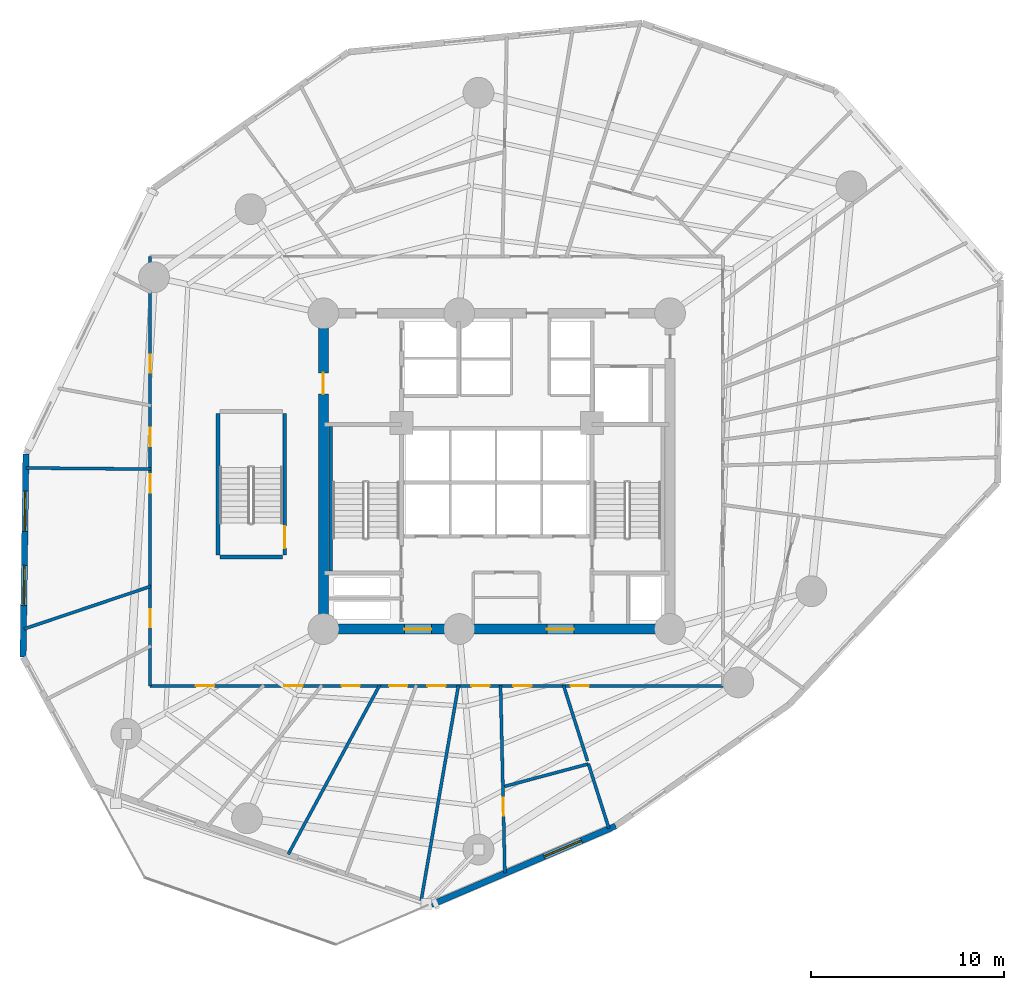
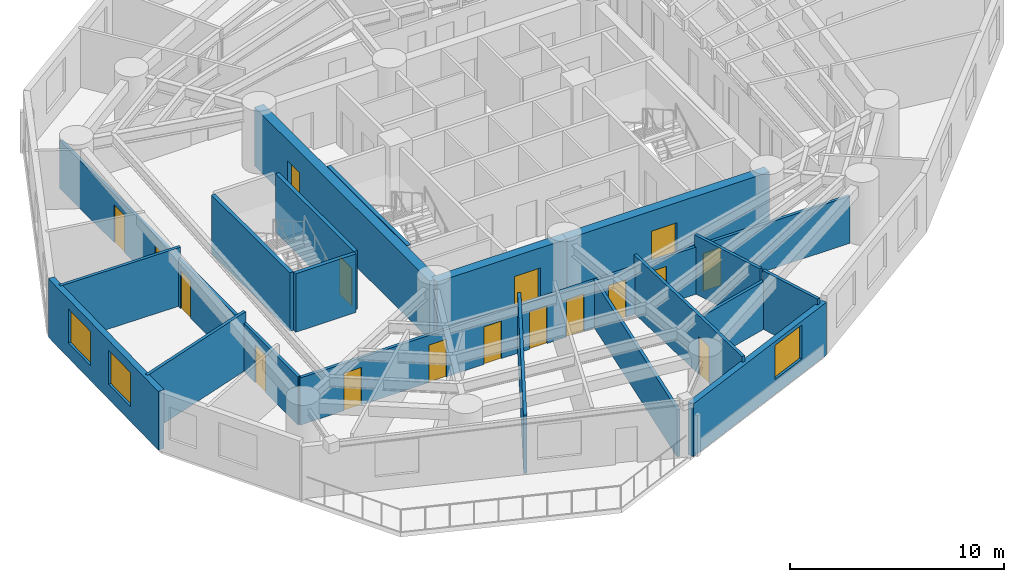
# One storey, part 3 of 11: 19 walls, 17 doors, 3 windows, 20 openings.
"""IFC4 building model written with IfcOpenShell, lengths in metres."""

import ifcopenshell
import ifcopenshell.guid

model = None  # the IFC model being written
_history = None  # IfcOwnerHistory: only IFC2X3 demands one
_inside = {}  # id of a spatial element -> (the spatial element, [elements in it])
_under = {}  # id of a project, library or spatial element -> (it, [spatial elements below it])
_declared = {}  # id of a project -> (the project, [libraries it declares])
_typed = {}  # id of a type object -> (the type object, [elements of that type])
_made_of = {}  # id of a material, layer set ... -> (it, [elements and type objects made of it])


def new_model(schema):
    """Start an empty IFC model of exactly this schema.

    Asked for "IFC4X3", IfcOpenShell would pick the latest addendum, in which some entities
    have other attributes; the version numbers below select the first issue.
    IFC2X3 requires an IfcOwnerHistory on every rooted entity: one is made here for all.
    """
    global model, _history
    if schema == "IFC4X3":
        model = ifcopenshell.file(schema_version=(4, 3, 0, 0))
    else:
        model = ifcopenshell.file(schema=schema)
    _inside.clear()
    _under.clear()
    _declared.clear()
    _typed.clear()
    _made_of.clear()
    _history = None
    if model.schema == "IFC2X3":
        org = make("IfcOrganization", Name="unknown")
        user = make(
            "IfcPersonAndOrganization",
            ThePerson=make("IfcPerson", FamilyName="unknown"),
            TheOrganization=org,
        )
        app = make(
            "IfcApplication",
            ApplicationDeveloper=org,
            Version="unknown",
            ApplicationFullName="unknown",
            ApplicationIdentifier="unknown",
        )
        _history = make(
            "IfcOwnerHistory",
            OwningUser=user,
            OwningApplication=app,
            ChangeAction="ADDED",
            CreationDate=0,
        )
    return model


def make(cls, **values):
    """One entity of the class cls with the attributes given. An attribute that is None is left unset."""
    return model.create_entity(
        cls, **{name: value for name, value in values.items() if value is not None}
    )


def rooted(cls, **values):
    """An entity with a GlobalId (a new one), such as an element, a storey or a relation."""
    return make(cls, GlobalId=ifcopenshell.guid.new(), OwnerHistory=_history, **values)


def si_unit(unit_type, name, prefix=None):
    """IfcSIUnit, for example si_unit("LENGTHUNIT", "METRE", prefix="MILLI")."""
    return make("IfcSIUnit", UnitType=unit_type, Prefix=prefix, Name=name)


def assignment(units):
    """IfcUnitAssignment: the units of a project."""
    return None if units is None else make("IfcUnitAssignment", Units=units)


def point(xyz):
    """IfcCartesianPoint."""
    return None if xyz is None else make("IfcCartesianPoint", Coordinates=xyz)


def direction(xyz):
    """IfcDirection."""
    return None if xyz is None else make("IfcDirection", DirectionRatios=xyz)


def frame(location, z_axis=None, x_axis=None):
    """IfcAxis2Placement3D, a coordinate frame: its origin and axes. An axis left out is left unset."""
    return make(
        "IfcAxis2Placement3D",
        Location=point(location),
        Axis=direction(z_axis),
        RefDirection=direction(x_axis),
    )


def frame_2d(location, x_axis=None):
    """IfcAxis2Placement2D, a coordinate frame in the plane: its origin and x axis."""
    return make(
        "IfcAxis2Placement2D", Location=point(location), RefDirection=direction(x_axis)
    )


def origin():
    """The frame at (0, 0, 0) with its axes left unset."""
    return frame((0.0, 0.0, 0.0))


def origin_with_axes():
    """The frame at (0, 0, 0) with the z axis (0, 0, 1) and the x axis (1, 0, 0) written out."""
    return frame((0.0, 0.0, 0.0), z_axis=(0.0, 0.0, 1.0), x_axis=(1.0, 0.0, 0.0))


def place(relative_to, where):
    """IfcLocalPlacement: puts the frame where relative to a parent placement (None: the world)."""
    return make(
        "IfcLocalPlacement", PlacementRelTo=relative_to, RelativePlacement=where
    )


def context(
    kind, dimensions, precision=None, world=None, true_north=None, identifier=None
):
    """IfcGeometricRepresentationContext, for example the 3D "Model" context."""
    return make(
        "IfcGeometricRepresentationContext",
        ContextIdentifier=identifier,
        ContextType=kind,
        CoordinateSpaceDimension=dimensions,
        Precision=precision,
        WorldCoordinateSystem=world,
        TrueNorth=true_north,
    )


def subcontext(parent, identifier, kind, view, scale=None):
    """IfcGeometricRepresentationSubContext, for example "Body" below "Model"."""
    return make(
        "IfcGeometricRepresentationSubContext",
        ContextIdentifier=identifier,
        ContextType=kind,
        ParentContext=parent,
        TargetScale=scale,
        TargetView=view,
    )


def project(units=None, contexts=None):
    """IfcProject with its units and contexts."""
    return rooted(
        "IfcProject",
        Name="project",
        RepresentationContexts=contexts,
        UnitsInContext=assignment(units),
    )


def spatial(cls, under=None, at=None, **own):
    """A site, building, storey or space (cls), placed at a placement, below another one or the project."""
    s = rooted(cls, ObjectPlacement=at, **own)
    if under is not None:
        _under.setdefault(under.id(), (under, []))[1].append(s)
    return s


def profile(cls, at=None, kind="AREA", **sizes):
    """A parametric profile (cls). Its sizes go by their IFC names, for example OverallWidth=200.0."""
    return make(cls, ProfileType=kind, Position=at, **sizes)


def rectangle(**sizes):
    """IfcRectangleProfileDef."""
    return profile("IfcRectangleProfileDef", **sizes)


def extrude(swept, where, along, depth):
    """IfcExtrudedAreaSolid: the profile swept, set in the frame where, extruded along a direction by depth."""
    return make(
        "IfcExtrudedAreaSolid",
        SweptArea=swept,
        Position=where,
        ExtrudedDirection=direction(along),
        Depth=depth,
    )


def shape(context_of_items, identifier, shape_type, items):
    """IfcShapeRepresentation: the items that make up one representation, for example the "Body"."""
    return make(
        "IfcShapeRepresentation",
        ContextOfItems=context_of_items,
        RepresentationIdentifier=identifier,
        RepresentationType=shape_type,
        Items=items,
    )


def source(mapping_origin, context_of_items, identifier, shape_type, items):
    """IfcRepresentationMap: a shape defined once, which mapped items show again and again."""
    return make(
        "IfcRepresentationMap",
        MappingOrigin=mapping_origin,
        MappedRepresentation=shape(context_of_items, identifier, shape_type, items),
    )


def transform(
    local_origin,
    x_axis=None,
    y_axis=None,
    z_axis=None,
    scale=None,
    scale2=None,
    scale3=None,
    uniform=True,
):
    """IfcCartesianTransformationOperator3D, or its non-uniform kind. x_axis, y_axis, z_axis: its Axis1, 2, 3."""
    if uniform:
        return make(
            "IfcCartesianTransformationOperator3D",
            Axis1=direction(x_axis),
            Axis2=direction(y_axis),
            LocalOrigin=point(local_origin),
            Scale=scale,
            Axis3=direction(z_axis),
        )
    return make(
        "IfcCartesianTransformationOperator3DnonUniform",
        Axis1=direction(x_axis),
        Axis2=direction(y_axis),
        LocalOrigin=point(local_origin),
        Scale=scale,
        Axis3=direction(z_axis),
        Scale2=scale2,
        Scale3=scale3,
    )


def mapped(mapping_source, mapping_target):
    """IfcMappedItem: shows the shape of a source again, moved by a transform."""
    return make(
        "IfcMappedItem", MappingSource=mapping_source, MappingTarget=mapping_target
    )


def material(Name=None, Category=None):
    """IfcMaterial."""
    return make("IfcMaterial", Name=Name, Category=Category)


def layer(
    of_material, thickness, ventilated=None, Name=None, Category=None, Priority=None
):
    """IfcMaterialLayer: one layer of a wall or slab, of a material (None: an air gap)."""
    return make(
        "IfcMaterialLayer",
        Material=of_material,
        LayerThickness=thickness,
        IsVentilated=ventilated,
        Name=Name,
        Category=Category,
        Priority=Priority,
    )


def layer_set(layers, Name=None):
    """IfcMaterialLayerSet."""
    return make("IfcMaterialLayerSet", MaterialLayers=layers, LayerSetName=Name)


def made_of(thing, what):
    """Note that an element or type object is made of a material, layer set ...; save() writes the relation."""
    if what is not None:
        _made_of.setdefault(what.id(), (what, []))[1].append(thing)
    return thing


def type_object(cls, material=None, **own):
    """A type object (cls), such as IfcWallType, which elements share."""
    return made_of(rooted(cls, **own), material)


def element(
    cls,
    number,
    at=None,
    inside=None,
    cuts=None,
    type_object=None,
    material=None,
    context=None,
    identifier="Body",
    shape_type=None,
    held_by="IfcProductDefinitionShape",
    body=None,
    shapes=None,
    **own,
):
    """One element of the class cls, such as IfcWall. Its Tag is "e" and its number.

    at: its placement. inside: the storey or other place that contains it. cuts: it is an
    opening in that element (IfcRelVoidsElement). A single representation is given by context,
    identifier, shape_type and body (its items); several are given by shapes. held_by: the class
    of the entity that holds the representations. save() writes the other relations.
    """
    e = rooted(cls, Tag="e%d" % number, ObjectPlacement=at, **own)
    if body is not None:
        shapes = [shape(context, identifier, shape_type, body)]
    if shapes is not None:
        e.Representation = make(held_by, Representations=shapes)
    if inside is not None:
        _inside.setdefault(inside.id(), (inside, []))[1].append(e)
    if cuts is not None:
        rooted(
            "IfcRelVoidsElement", RelatingBuildingElement=cuts, RelatedOpeningElement=e
        )
    if type_object is not None:
        _typed.setdefault(type_object.id(), (type_object, []))[1].append(e)
    return made_of(e, material)


def fill(opening, filler):
    """IfcRelFillsElement: the door or window that sits in an opening."""
    return rooted(
        "IfcRelFillsElement",
        RelatingOpeningElement=opening,
        RelatedBuildingElement=filler,
    )


def aggregate(whole, parts):
    """IfcRelAggregates: a whole, such as a stair, and the parts it consists of."""
    return rooted("IfcRelAggregates", RelatingObject=whole, RelatedObjects=parts)


def save(model, path):
    """Write the relations noted so far, then the file.

    IfcRelAggregates (storeys below a building ...), IfcRelContainedInSpatialStructure (elements
    in a storey), IfcRelDefinesByType, IfcRelAssociatesMaterial and IfcRelDeclares: one each for
    every whole, place, type object, material and project.
    """
    for whole, parts in _under.values():
        aggregate(whole, parts)
    for where, things in _inside.values():
        rooted(
            "IfcRelContainedInSpatialStructure",
            RelatedElements=things,
            RelatingStructure=where,
        )
    for kind, things in _typed.values():
        rooted("IfcRelDefinesByType", RelatedObjects=things, RelatingType=kind)
    for what, things in _made_of.values():
        rooted("IfcRelAssociatesMaterial", RelatedObjects=things, RelatingMaterial=what)
    for by, libraries in _declared.values():
        rooted("IfcRelDeclares", RelatingContext=by, RelatedDefinitions=libraries)
    model.write(path)


model = new_model("IFC4")

# Units and contexts
model_context = context("Model", 3, precision=1e-05, world=origin(), true_north=direction((0.0, 1.0)))
body_context = subcontext(model_context, "Body", "Model", "MODEL_VIEW")
ifc_project = project(units=[si_unit("LENGTHUNIT", "METRE"), si_unit("AREAUNIT", "SQUARE_METRE"), si_unit("VOLUMEUNIT", "CUBIC_METRE"), si_unit("PLANEANGLEUNIT", "RADIAN"), si_unit("MASSUNIT", "GRAM", prefix="KILO")], contexts=[model_context])

# Site, building, storey
site_placement = place(None, origin())
site = spatial("IfcSite", under=ifc_project, at=site_placement, CompositionType="ELEMENT")
building_placement = place(site_placement, origin())
building = spatial("IfcBuilding", under=site, at=building_placement, Name="Karkom Vertical University and Central Library", CompositionType="ELEMENT")
storey_placement = place(building_placement, frame((0.0, 0.0, 44.5)))
storey = spatial("IfcBuildingStorey", under=building, at=storey_placement, Name="L11", CompositionType="ELEMENT", Elevation=44.5)

# Wall, openings, windows
ifc_material_1 = material(Name="Brick-faced precast concrete C45/55", Category="masonry")
ifc_layer_1 = layer(ifc_material_1, 0.320068359375)
ifc_layer_set_1 = layer_set([ifc_layer_1], Name="Brick-faced precast concrete C45/55")
wall_type_1 = type_object("IfcWallType", Name="ENV-WL-BRK-320", PredefinedType="SOLIDWALL", material=ifc_layer_set_1)
wall_1_placement = place(storey_placement, frame((4.0458984375, 27.39697265625, 0.0), z_axis=(0.0, 0.0, 1.0), x_axis=(-0.014125758113, -0.999900226501, 0.0)))
wall_1 = element("IfcWall", 1, at=wall_1_placement, inside=storey, type_object=wall_type_1, Name="Level 11 Brick-Faced Precast Facade Wall 02", PredefinedType="SOLIDWALL", context=body_context, shape_type="SweptSolid", body=[
    extrude(rectangle(XDim=10.56005859375, YDim=0.320068359375, at=frame_2d((5.280029296875, 0.0))), origin(), (0.0, 0.0, 1.0), 3.35009765625),
])
opening_1_placement = place(wall_1_placement, frame((1.928466796875, 0.0, 0.85009765625)))
opening_1 = element("IfcOpeningElement", 2, at=opening_1_placement, cuts=wall_1, Name="Opening WN-03", PredefinedType="OPENING", context=body_context, shape_type="SweptSolid", body=[
    extrude(rectangle(XDim=2.10009765625, YDim=1.949951171875, at=frame_2d((1.050048828125, 0.97509765625))), frame((0.0, 0.169921875, 0.0), z_axis=(0.0, -1.0, 0.0), x_axis=(1.0, 0.0, 0.0)), (0.0, 0.0, 1.0), 0.340087890625),
])
opening_2_placement = place(wall_1_placement, frame((5.78369140625, 0.0, 0.85009765625)))
opening_2 = element("IfcOpeningElement", 3, at=opening_2_placement, cuts=wall_1, Name="Opening WN-03", PredefinedType="OPENING", context=body_context, shape_type="SweptSolid", body=[
    extrude(rectangle(XDim=2.10009765625, YDim=1.949951171875, at=frame_2d((1.050048828125, 0.97509765625))), frame((0.0, 0.169921875, 0.0), z_axis=(0.0, -1.0, 0.0), x_axis=(1.0, 0.0, 0.0)), (0.0, 0.0, 1.0), 0.340087890625),
])
ifc_material_2 = material(Name="Aluminium thermal-break frame with solar-control IGU", Category="aluminium")
window_type = type_object("IfcWindowType", Name="ENV-WIN-WN-03", PartitioningType="SINGLE_PANEL", PredefinedType="WINDOW", material=ifc_material_2)
shared_shape_1 = source(origin_with_axes(), body_context, "Body", "SweptSolid", [
    extrude(rectangle(XDim=2.10009765625, YDim=1.949951171875, at=frame_2d((1.050048828125, 0.97509765625))), frame((0.0, 0.030029296875, 0.0), z_axis=(0.0, -1.0, 0.0), x_axis=(1.0, 0.0, 0.0)), (0.0, 0.0, 1.0), 0.06005859375),
])
window_1_placement = place(opening_1_placement, origin())
window_1 = element("IfcWindow", 4, at=window_1_placement, inside=storey, type_object=window_type, Name="Level 11 Punched Window 2.1", OverallHeight=1.949951171875, OverallWidth=2.10009765625, PartitioningType="SINGLE_PANEL", PredefinedType="WINDOW", context=body_context, shape_type="MappedRepresentation", body=[
    mapped(shared_shape_1, transform((0.0, 0.0, 0.0), scale=1.0)),
])
fill(opening_1, window_1)
window_2_placement = place(opening_2_placement, origin())
window_2 = element("IfcWindow", 5, at=window_2_placement, inside=storey, type_object=window_type, Name="Level 11 Punched Window 2.2", OverallHeight=1.949951171875, OverallWidth=2.10009765625, PartitioningType="SINGLE_PANEL", PredefinedType="WINDOW", context=body_context, shape_type="MappedRepresentation", body=[
    mapped(shared_shape_1, transform((0.0, 0.0, 0.0), scale=1.0)),
])
fill(opening_2, window_2)

# Wall, opening, window
wall_2_placement = place(storey_placement, frame((25.10400390625, 3.975830078125, 0.0), z_axis=(0.0, 0.0, 1.0), x_axis=(0.919450427294, 0.393205940634, 0.0)))
wall_2 = element("IfcWall", 6, at=wall_2_placement, inside=storey, type_object=wall_type_1, Name="Level 11 Brick-Faced Precast Facade Wall 05", PredefinedType="SOLIDWALL", context=body_context, shape_type="SweptSolid", body=[
    extrude(rectangle(XDim=10.41064453125, YDim=0.320068359375, at=frame_2d((5.205322265625, 0.0))), origin(), (0.0, 0.0, 1.0), 3.02001953125),
])
opening_3_placement = place(wall_2_placement, frame((6.375732421875, 0.0, 0.85009765625)))
opening_3 = element("IfcOpeningElement", 7, at=opening_3_placement, cuts=wall_2, Name="Opening WN-03", PredefinedType="OPENING", context=body_context, shape_type="SweptSolid", body=[
    extrude(rectangle(XDim=2.10009765625, YDim=1.949951171875, at=frame_2d((1.050048828125, 0.97509765625))), frame((0.0, 0.169921875, 0.0), z_axis=(0.0, -1.0, 0.0), x_axis=(1.0, 0.0, 0.0)), (0.0, 0.0, 1.0), 0.340087890625),
])
window_3_placement = place(opening_3_placement, origin())
window_3 = element("IfcWindow", 8, at=window_3_placement, inside=storey, type_object=window_type, Name="Level 11 Punched Window 5.1", OverallHeight=1.949951171875, OverallWidth=2.10009765625, PartitioningType="SINGLE_PANEL", PredefinedType="WINDOW", context=body_context, shape_type="MappedRepresentation", body=[
    mapped(shared_shape_1, transform((0.0, 0.0, 0.0), scale=1.0)),
])
fill(opening_3, window_3)

# Wall, openings, doors
ifc_material_3 = material(Name="Insulated metal-stud drywall 160mm", Category="gypsum")
ifc_layer_2 = layer(ifc_material_3, 0.159912109375)
ifc_layer_set_2 = layer_set([ifc_layer_2], Name="Insulated metal-stud drywall 160mm")
wall_type_2 = type_object("IfcWallType", Name="INT-WL-COR-160", PredefinedType="PARTITIONING", material=ifc_layer_set_2)
wall_3_placement = place(storey_placement, frame((40.25, 15.35009765625, 0.0), z_axis=(0.0, 0.0, 1.0), x_axis=(-1.0, 0.0, 0.0)))
wall_3 = element("IfcWall", 9, at=wall_3_placement, inside=storey, type_object=wall_type_2, Name="Level 11 Interior Partition Wall L11-CORW-CW-001", PredefinedType="PARTITIONING", context=body_context, shape_type="SweptSolid", body=[
    extrude(rectangle(XDim=29.75, YDim=0.159912109375, at=frame_2d((14.875, 0.0))), origin(), (0.0, 0.0, 1.0), 2.699951171875),
])
opening_4_placement = place(wall_3_placement, frame((26.4228515625, 0.0, 0.0)))
opening_4 = element("IfcOpeningElement", 10, at=opening_4_placement, cuts=wall_3, Name="Opening D-RM1", PredefinedType="OPENING", context=body_context, shape_type="SweptSolid", body=[
    extrude(rectangle(XDim=0.949951171875, YDim=2.14990234375, at=frame_2d((0.47509765625, 1.074951171875))), frame((0.0, 0.08984375, 0.0), z_axis=(0.0, -1.0, 0.0), x_axis=(1.0, 0.0, 0.0)), (0.0, 0.0, 1.0), 0.179931640625),
])
opening_5_placement = place(wall_3_placement, frame((21.83740234375, 0.0, 0.0)))
opening_5 = element("IfcOpeningElement", 11, at=opening_5_placement, cuts=wall_3, Name="Opening D-RM1", PredefinedType="OPENING", context=body_context, shape_type="SweptSolid", body=[
    extrude(rectangle(XDim=0.949951171875, YDim=2.14990234375, at=frame_2d((0.47509765625, 1.074951171875))), frame((0.0, 0.08984375, 0.0), z_axis=(0.0, -1.0, 0.0), x_axis=(1.0, 0.0, 0.0)), (0.0, 0.0, 1.0), 0.179931640625),
])
opening_6_placement = place(wall_3_placement, frame((18.862548828125, 0.0, 0.0)))
opening_6 = element("IfcOpeningElement", 12, at=opening_6_placement, cuts=wall_3, Name="Opening D-RM1", PredefinedType="OPENING", context=body_context, shape_type="SweptSolid", body=[
    extrude(rectangle(XDim=0.949951171875, YDim=2.14990234375, at=frame_2d((0.47509765625, 1.074951171875))), frame((0.0, 0.08984375, 0.0), z_axis=(0.0, -1.0, 0.0), x_axis=(1.0, 0.0, 0.0)), (0.0, 0.0, 1.0), 0.179931640625),
])
opening_7_placement = place(wall_3_placement, frame((16.387939453125, 0.0, 0.0)))
opening_7 = element("IfcOpeningElement", 13, at=opening_7_placement, cuts=wall_3, Name="Opening D-RM1", PredefinedType="OPENING", context=body_context, shape_type="SweptSolid", body=[
    extrude(rectangle(XDim=0.949951171875, YDim=2.14990234375, at=frame_2d((0.47509765625, 1.074951171875))), frame((0.0, 0.08984375, 0.0), z_axis=(0.0, -1.0, 0.0), x_axis=(1.0, 0.0, 0.0)), (0.0, 0.0, 1.0), 0.179931640625),
])
opening_8_placement = place(wall_3_placement, frame((14.39990234375, 0.0, 0.0)))
opening_8 = element("IfcOpeningElement", 14, at=opening_8_placement, cuts=wall_3, Name="Opening D-RM1", PredefinedType="OPENING", context=body_context, shape_type="SweptSolid", body=[
    extrude(rectangle(XDim=0.949951171875, YDim=2.14990234375, at=frame_2d((0.47509765625, 1.074951171875))), frame((0.0, 0.08984375, 0.0), z_axis=(0.0, -1.0, 0.0), x_axis=(1.0, 0.0, 0.0)), (0.0, 0.0, 1.0), 0.179931640625),
])
opening_9_placement = place(wall_3_placement, frame((12.1181640625, 0.0, 0.0)))
opening_9 = element("IfcOpeningElement", 15, at=opening_9_placement, cuts=wall_3, Name="Opening D-RM1", PredefinedType="OPENING", context=body_context, shape_type="SweptSolid", body=[
    extrude(rectangle(XDim=0.949951171875, YDim=2.14990234375, at=frame_2d((0.47509765625, 1.074951171875))), frame((0.0, 0.08984375, 0.0), z_axis=(0.0, -1.0, 0.0), x_axis=(1.0, 0.0, 0.0)), (0.0, 0.0, 1.0), 0.179931640625),
])
opening_10_placement = place(wall_3_placement, frame((9.9375, 0.0, 0.0)))
opening_10 = element("IfcOpeningElement", 16, at=opening_10_placement, cuts=wall_3, Name="Opening D-RM1", PredefinedType="OPENING", context=body_context, shape_type="SweptSolid", body=[
    extrude(rectangle(XDim=0.949951171875, YDim=2.14990234375, at=frame_2d((0.47509765625, 1.074951171875))), frame((0.0, 0.08984375, 0.0), z_axis=(0.0, -1.0, 0.0), x_axis=(1.0, 0.0, 0.0)), (0.0, 0.0, 1.0), 0.179931640625),
])
opening_11_placement = place(wall_3_placement, frame((6.96240234375, 0.0, 0.0)))
opening_11 = element("IfcOpeningElement", 17, at=opening_11_placement, cuts=wall_3, Name="Opening D-RM1", PredefinedType="OPENING", context=body_context, shape_type="SweptSolid", body=[
    extrude(rectangle(XDim=0.949951171875, YDim=2.14990234375, at=frame_2d((0.47509765625, 1.074951171875))), frame((0.0, 0.08984375, 0.0), z_axis=(0.0, -1.0, 0.0), x_axis=(1.0, 0.0, 0.0)), (0.0, 0.0, 1.0), 0.179931640625),
])
ifc_material_4 = material(Name="Solid-core oak veneer door", Category="wood")
door_type_1 = type_object("IfcDoorType", Name="INT-DR-RM1", OperationType="NOTDEFINED", PredefinedType="DOOR", material=ifc_material_4)
shared_shape_2 = source(origin_with_axes(), body_context, "Body", "SweptSolid", [
    extrude(rectangle(XDim=0.949951171875, YDim=2.14990234375, at=frame_2d((0.47509765625, 1.074951171875))), frame((0.0, 0.02490234375, 0.0), z_axis=(0.0, -1.0, 0.0), x_axis=(1.0, 0.0, 0.0)), (0.0, 0.0, 1.0), 0.050048828125),
])
door_1_placement = place(opening_4_placement, origin())
door_1 = element("IfcDoor", 18, at=door_1_placement, inside=storey, type_object=door_type_1, Name="Level 11 Room Entry Door 020", OperationType="SINGLE_SWING_LEFT", OverallHeight=2.14990234375, OverallWidth=0.949951171875, PredefinedType="DOOR", context=body_context, shape_type="MappedRepresentation", body=[
    mapped(shared_shape_2, transform((0.0, 0.0, 0.0), scale=1.0)),
])
fill(opening_4, door_1)
door_2_placement = place(opening_5_placement, origin())
door_2 = element("IfcDoor", 19, at=door_2_placement, inside=storey, type_object=door_type_1, Name="Level 11 Room Entry Door 030", OperationType="SINGLE_SWING_RIGHT", OverallHeight=2.14990234375, OverallWidth=0.949951171875, PredefinedType="DOOR", context=body_context, shape_type="MappedRepresentation", body=[
    mapped(shared_shape_2, transform((0.0, 0.0, 0.0), scale=1.0)),
])
fill(opening_5, door_2)
door_3_placement = place(opening_6_placement, origin())
door_3 = element("IfcDoor", 20, at=door_3_placement, inside=storey, type_object=door_type_1, Name="Level 11 Room Entry Door 040", OperationType="SINGLE_SWING_LEFT", OverallHeight=2.14990234375, OverallWidth=0.949951171875, PredefinedType="DOOR", context=body_context, shape_type="MappedRepresentation", body=[
    mapped(shared_shape_2, transform((0.0, 0.0, 0.0), scale=1.0)),
])
fill(opening_6, door_3)
door_4_placement = place(opening_7_placement, origin())
door_4 = element("IfcDoor", 21, at=door_4_placement, inside=storey, type_object=door_type_1, Name="Level 11 Room Entry Door 050", OperationType="SINGLE_SWING_RIGHT", OverallHeight=2.14990234375, OverallWidth=0.949951171875, PredefinedType="DOOR", context=body_context, shape_type="MappedRepresentation", body=[
    mapped(shared_shape_2, transform((0.0, 0.0, 0.0), scale=1.0)),
])
fill(opening_7, door_4)
door_5_placement = place(opening_8_placement, origin())
door_5 = element("IfcDoor", 22, at=door_5_placement, inside=storey, type_object=door_type_1, Name="Level 11 Room Entry Door 060", OperationType="SINGLE_SWING_LEFT", OverallHeight=2.14990234375, OverallWidth=0.949951171875, PredefinedType="DOOR", context=body_context, shape_type="MappedRepresentation", body=[
    mapped(shared_shape_2, transform((0.0, 0.0, 0.0), scale=1.0)),
])
fill(opening_8, door_5)
door_6_placement = place(opening_9_placement, origin())
door_6 = element("IfcDoor", 23, at=door_6_placement, inside=storey, type_object=door_type_1, Name="Level 11 Room Entry Door 070", OperationType="SINGLE_SWING_RIGHT", OverallHeight=2.14990234375, OverallWidth=0.949951171875, PredefinedType="DOOR", context=body_context, shape_type="MappedRepresentation", body=[
    mapped(shared_shape_2, transform((0.0, 0.0, 0.0), scale=1.0)),
])
fill(opening_9, door_6)
door_7_placement = place(opening_10_placement, origin())
door_7 = element("IfcDoor", 24, at=door_7_placement, inside=storey, type_object=door_type_1, Name="Level 11 Room Entry Door 090", OperationType="SINGLE_SWING_LEFT", OverallHeight=2.14990234375, OverallWidth=0.949951171875, PredefinedType="DOOR", context=body_context, shape_type="MappedRepresentation", body=[
    mapped(shared_shape_2, transform((0.0, 0.0, 0.0), scale=1.0)),
])
fill(opening_10, door_7)
door_8_placement = place(opening_11_placement, origin())
door_8 = element("IfcDoor", 25, at=door_8_placement, inside=storey, type_object=door_type_1, Name="Level 11 Room Entry Door 100", OperationType="SINGLE_SWING_RIGHT", OverallHeight=2.14990234375, OverallWidth=0.949951171875, PredefinedType="DOOR", context=body_context, shape_type="MappedRepresentation", body=[
    mapped(shared_shape_2, transform((0.0, 0.0, 0.0), scale=1.0)),
])
fill(opening_11, door_8)

wall_4_placement = place(storey_placement, frame((10.5, 15.35009765625, 0.0), z_axis=(0.0, 0.0, 1.0), x_axis=(0.0, 1.0, 0.0)))
wall_4 = element("IfcWall", 26, at=wall_4_placement, inside=storey, type_object=wall_type_2, Name="Level 11 Interior Partition Wall L11-CORW-CW-002", PredefinedType="PARTITIONING", context=body_context, shape_type="SweptSolid", body=[
    extrude(rectangle(XDim=22.2998046875, YDim=0.159912109375, at=frame_2d((11.14990234375, 0.0))), origin(), (0.0, 0.0, 1.0), 2.75),
])
opening_12_placement = place(wall_4_placement, frame((10.034912109375, 0.0, 0.0)))
opening_12 = element("IfcOpeningElement", 27, at=opening_12_placement, cuts=wall_4, Name="Opening D-RM1", PredefinedType="OPENING", context=body_context, shape_type="SweptSolid", body=[
    extrude(rectangle(XDim=0.949951171875, YDim=2.14990234375, at=frame_2d((0.47509765625, 1.074951171875))), frame((0.0, 0.08984375, 0.0), z_axis=(0.0, -1.0, 0.0), x_axis=(1.0, 0.0, 0.0)), (0.0, 0.0, 1.0), 0.179931640625),
])
opening_13_placement = place(wall_4_placement, frame((3.030517578125, 0.0, 0.0)))
opening_13 = element("IfcOpeningElement", 28, at=opening_13_placement, cuts=wall_4, Name="Opening FD-RM2", PredefinedType="OPENING", context=body_context, shape_type="SweptSolid", body=[
    extrude(rectangle(XDim=0.9599609375, YDim=2.14990234375, at=frame_2d((0.47998046875, 1.074951171875))), frame((0.0, 0.08984375, 0.0), z_axis=(0.0, -1.0, 0.0), x_axis=(1.0, 0.0, 0.0)), (0.0, 0.0, 1.0), 0.179931640625),
])
opening_14_placement = place(wall_4_placement, frame((16.25, 0.0, 0.0)))
opening_14 = element("IfcOpeningElement", 29, at=opening_14_placement, cuts=wall_4, Name="Opening D-RM1", PredefinedType="OPENING", context=body_context, shape_type="SweptSolid", body=[
    extrude(rectangle(XDim=0.949951171875, YDim=2.14990234375, at=frame_2d((0.47509765625, 1.074951171875))), frame((0.0, 0.08984375, 0.0), z_axis=(0.0, -1.0, 0.0), x_axis=(1.0, 0.0, 0.0)), (0.0, 0.0, 1.0), 0.179931640625),
])
opening_15_placement = place(wall_4_placement, frame((12.44287109375, 0.0, 0.0)))
opening_15 = element("IfcOpeningElement", 30, at=opening_15_placement, cuts=wall_4, Name="Opening D-RM1", PredefinedType="OPENING", context=body_context, shape_type="SweptSolid", body=[
    extrude(rectangle(XDim=0.949951171875, YDim=2.14990234375, at=frame_2d((0.47509765625, 1.074951171875))), frame((0.0, 0.08984375, 0.0), z_axis=(0.0, -1.0, 0.0), x_axis=(1.0, 0.0, 0.0)), (0.0, 0.0, 1.0), 0.179931640625),
])
ifc_material_5 = material(Name="Fire-rated oak veneer door", Category="wood")
door_type_2 = type_object("IfcDoorType", Name="INT-DR-FRM2", OperationType="NOTDEFINED", PredefinedType="DOOR", material=ifc_material_5)
shared_shape_3 = source(origin_with_axes(), body_context, "Body", "SweptSolid", [
    extrude(rectangle(XDim=0.9599609375, YDim=2.14990234375, at=frame_2d((0.47998046875, 1.074951171875))), frame((0.0, 0.02490234375, 0.0), z_axis=(0.0, -1.0, 0.0), x_axis=(1.0, 0.0, 0.0)), (0.0, 0.0, 1.0), 0.050048828125),
])
door_9_placement = place(opening_13_placement, origin())
door_9 = element("IfcDoor", 31, at=door_9_placement, inside=storey, type_object=door_type_2, Name="Level 11 Room Entry Door 010", OperationType="SINGLE_SWING_RIGHT", OverallHeight=2.14990234375, OverallWidth=0.9599609375, PredefinedType="DOOR", context=body_context, shape_type="MappedRepresentation", body=[
    mapped(shared_shape_3, transform((0.0, 0.0, 0.0), scale=1.0)),
])
fill(opening_13, door_9)
door_10_placement = place(opening_12_placement, origin())
door_10 = element("IfcDoor", 32, at=door_10_placement, inside=storey, type_object=door_type_1, Name="Level 11 Room Entry Door 000", OperationType="SINGLE_SWING_LEFT", OverallHeight=2.14990234375, OverallWidth=0.949951171875, PredefinedType="DOOR", context=body_context, shape_type="MappedRepresentation", body=[
    mapped(shared_shape_2, transform((0.0, 0.0, 0.0), scale=1.0)),
])
fill(opening_12, door_10)
door_11_placement = place(opening_14_placement, origin())
door_11 = element("IfcDoor", 33, at=door_11_placement, inside=storey, type_object=door_type_1, Name="Level 11 Room Entry Door 300", OperationType="SINGLE_SWING_LEFT", OverallHeight=2.14990234375, OverallWidth=0.949951171875, PredefinedType="DOOR", context=body_context, shape_type="MappedRepresentation", body=[
    mapped(shared_shape_2, transform((0.0, 0.0, 0.0), scale=1.0)),
])
fill(opening_14, door_11)
door_12_placement = place(opening_15_placement, origin())
door_12 = element("IfcDoor", 34, at=door_12_placement, inside=storey, type_object=door_type_1, Name="Level 11 Room Entry Door 310", OperationType="SINGLE_SWING_RIGHT", OverallHeight=2.14990234375, OverallWidth=0.949951171875, PredefinedType="DOOR", context=body_context, shape_type="MappedRepresentation", body=[
    mapped(shared_shape_2, transform((0.0, 0.0, 0.0), scale=1.0)),
])
fill(opening_15, door_12)

# Walls
wall_5_placement = place(storey_placement, frame((26.513916015625, 15.394287109375, 0.0), z_axis=(0.0, 0.0, 1.0), x_axis=(-0.170801173995, -0.985305515544, 0.0)))
element("IfcWall", 35, at=wall_5_placement, inside=storey, type_object=wall_type_2, Name="Level 11 Interior Partition Wall L11-PW-008", PredefinedType="PARTITIONING", context=body_context, shape_type="SweptSolid", body=[
    extrude(rectangle(XDim=11.3720703125, YDim=0.159912109375, at=frame_2d((5.68603515625, 0.0))), origin(), (0.0, 0.0, 1.0), 2.699951171875),
])
wall_6_placement = place(storey_placement, frame((22.422119140625, 15.3896484375, 0.0), z_axis=(0.0, 0.0, 1.0), x_axis=(-0.47575009299, -0.879580496044, 0.0)))
element("IfcWall", 36, at=wall_6_placement, inside=storey, type_object=wall_type_2, Name="Level 11 Interior Partition Wall L11-PW-006", PredefinedType="PARTITIONING", context=body_context, shape_type="SweptSolid", body=[
    extrude(rectangle(XDim=9.990478515625, YDim=0.159912109375, at=frame_2d((4.9951171875, 0.0))), origin(), (0.0, 0.0, 1.0), 3.35009765625),
])

# Wall, opening, door
wall_7_placement = place(storey_placement, frame((28.69677734375, 15.3798828125, 0.0), z_axis=(0.0, 0.0, 1.0), x_axis=(0.023081185201, -0.999733593959, 0.0)))
wall_7 = element("IfcWall", 37, at=wall_7_placement, inside=storey, type_object=wall_type_2, Name="Level 11 Interior Partition Wall L11-PW-009", PredefinedType="PARTITIONING", context=body_context, shape_type="SweptSolid", body=[
    extrude(rectangle(XDim=9.741943359375, YDim=0.159912109375, at=frame_2d((4.87109375, 0.0))), origin(), (0.0, 0.0, 1.0), 3.35009765625),
])
opening_16_placement = place(wall_7_placement, frame((5.83447265625, 0.0, 0.0)))
opening_16 = element("IfcOpeningElement", 38, at=opening_16_placement, cuts=wall_7, Name="Opening D-RM1", PredefinedType="OPENING", context=body_context, shape_type="SweptSolid", body=[
    extrude(rectangle(XDim=0.949951171875, YDim=2.14990234375, at=frame_2d((0.47509765625, 1.074951171875))), frame((0.0, 0.08984375, 0.0), z_axis=(0.0, -1.0, 0.0), x_axis=(1.0, 0.0, 0.0)), (0.0, 0.0, 1.0), 0.179931640625),
])
door_13_placement = place(opening_16_placement, origin())
door_13 = element("IfcDoor", 39, at=door_13_placement, inside=storey, type_object=door_type_1, Name="Level 11 Room Entry Door 080", OperationType="SINGLE_SWING_LEFT", OverallHeight=2.14990234375, OverallWidth=0.949951171875, PredefinedType="DOOR", context=body_context, shape_type="MappedRepresentation", body=[
    mapped(shared_shape_2, transform((0.0, 0.0, 0.0), scale=1.0)),
])
fill(opening_16, door_13)

# Walls
wall_8_placement = place(storey_placement, frame((10.5283203125, 20.5185546875, 0.0), z_axis=(0.0, 0.0, 1.0), x_axis=(-0.947825559391, -0.318789442994, 0.0)))
element("IfcWall", 40, at=wall_8_placement, inside=storey, type_object=wall_type_2, Name="Level 11 Interior Partition Wall L11-PW-001", PredefinedType="PARTITIONING", context=body_context, shape_type="SweptSolid", body=[
    extrude(rectangle(XDim=6.944580078125, YDim=0.159912109375, at=frame_2d((3.47216796875, 0.0))), origin(), (0.0, 0.0, 1.0), 3.35009765625),
])
wall_9_placement = place(storey_placement, frame((4.060546875, 26.665771484375, 0.0), z_axis=(0.0, 0.0, 1.0), x_axis=(0.999957461163, -0.009223657919, 0.0)))
element("IfcWall", 41, at=wall_9_placement, inside=storey, type_object=wall_type_2, Name="Level 11 Interior Partition Wall L11-PW-002", PredefinedType="PARTITIONING", context=body_context, shape_type="SweptSolid", body=[
    extrude(rectangle(XDim=6.48486328125, YDim=0.159912109375, at=frame_2d((3.242431640625, 0.0))), origin(), (0.0, 0.0, 1.0), 3.35009765625),
])
wall_10_placement = place(storey_placement, frame((28.905029296875, 10.125732421875, 0.0), z_axis=(0.0, 0.0, 1.0), x_axis=(0.965928004667, 0.258810915149, 0.0)))
element("IfcWall", 42, at=wall_10_placement, inside=storey, type_object=wall_type_2, Name="Level 11 Interior Partition Wall L11-PW-010", PredefinedType="PARTITIONING", context=body_context, shape_type="SweptSolid", body=[
    extrude(rectangle(XDim=4.511962890625, YDim=0.159912109375, at=frame_2d((2.255859375, 0.0))), origin(), (0.0, 0.0, 1.0), 2.75),
])
wall_11_placement = place(storey_placement, frame((31.966552734375, 15.378662109375, 0.0), z_axis=(0.0, 0.0, 1.0), x_axis=(0.302490392513, -0.953152433999, 0.0)))
element("IfcWall", 43, at=wall_11_placement, inside=storey, type_object=wall_type_2, Name="Level 11 Interior Partition Wall L11-PW-012", PredefinedType="PARTITIONING", context=body_context, shape_type="SweptSolid", body=[
    extrude(rectangle(XDim=4.1259765625, YDim=0.159912109375, at=frame_2d((2.06298828125, 0.0))), origin(), (0.0, 0.0, 1.0), 3.35009765625),
])
wall_12_placement = place(storey_placement, frame((33.26318359375, 11.29345703125, 0.0), z_axis=(0.0, 0.0, 1.0), x_axis=(0.302468838767, -0.953159273981, 0.0)))
element("IfcWall", 44, at=wall_12_placement, inside=storey, type_object=wall_type_2, Name="Level 11 Interior Partition Wall L11-PW-011", PredefinedType="PARTITIONING", context=body_context, shape_type="SweptSolid", body=[
    extrude(rectangle(XDim=3.51123046875, YDim=0.159912109375, at=frame_2d((1.755615234375, 0.0))), origin(), (0.0, 0.0, 1.0), 3.35009765625),
])

# Wall, opening, door
ifc_material_6 = material(Name="Concrete C50/60", Category="concrete")
ifc_layer_3 = layer(ifc_material_6, 0.5)
ifc_layer_set_3 = layer_set([ifc_layer_3], Name="Concrete C50/60")
wall_type_3 = type_object("IfcWallType", Name="STR-WL-CW-500", PredefinedType="SHEAR", material=ifc_layer_set_3)
wall_13_placement = place(storey_placement, frame((19.5, 18.300048828125, 0.0), z_axis=(0.0, 0.0, 1.0), x_axis=(1.0, 0.0, 0.0)))
wall_13 = element("IfcWall", 45, at=wall_13_placement, inside=storey, type_object=wall_type_3, Name="Level 11 Central Core Shear Wall SW1", PredefinedType="SHEAR", context=body_context, shape_type="SweptSolid", body=[
    extrude(rectangle(XDim=7.050048828125, YDim=0.5, at=frame_2d((3.52490234375, 0.0))), origin(), (0.0, 0.0, 1.0), 3.35009765625),
])
opening_17_placement = place(wall_13_placement, frame((4.199951171875, 0.0, 0.0)))
opening_17 = element("IfcOpeningElement", 46, at=opening_17_placement, cuts=wall_13, Name="Opening FD-CLB", PredefinedType="OPENING", context=body_context, shape_type="SweptSolid", body=[
    extrude(rectangle(XDim=1.39990234375, YDim=2.199951171875, at=frame_2d((0.699951171875, 1.10009765625))), frame((0.0, 0.260009765625, 0.0), z_axis=(0.0, -1.0, 0.0), x_axis=(1.0, 0.0, 0.0)), (0.0, 0.0, 1.0), 0.52001953125),
])
ifc_material_7 = material(Name="Painted steel fire door", Category="steel")
door_type_3 = type_object("IfcDoorType", Name="INT-DR-CLB", OperationType="DOUBLE_DOOR_SINGLE_SWING", PredefinedType="DOOR", material=ifc_material_7)
shared_shape_4 = source(origin_with_axes(), body_context, "Body", "SweptSolid", [
    extrude(rectangle(XDim=1.39990234375, YDim=2.199951171875, at=frame_2d((0.699951171875, 1.10009765625))), frame((0.0, 0.02490234375, 0.0), z_axis=(0.0, -1.0, 0.0), x_axis=(1.0, 0.0, 0.0)), (0.0, 0.0, 1.0), 0.050048828125),
])
door_14_placement = place(opening_17_placement, origin())
door_14 = element("IfcDoor", 47, at=door_14_placement, inside=storey, type_object=door_type_3, Name="Level 11 South Core Lobby West Exit Door", OperationType="DOUBLE_DOOR_SINGLE_SWING", OverallHeight=2.199951171875, OverallWidth=1.39990234375, PredefinedType="DOOR", context=body_context, shape_type="MappedRepresentation", body=[
    mapped(shared_shape_4, transform((0.0, 0.0, 0.0), scale=1.0)),
])
fill(opening_17, door_14)

wall_14_placement = place(storey_placement, frame((26.550048828125, 18.300048828125, 0.0), z_axis=(0.0, 0.0, 1.0), x_axis=(1.0, 0.0, 0.0)))
wall_14 = element("IfcWall", 48, at=wall_14_placement, inside=storey, type_object=wall_type_3, Name="Level 11 Central Core Shear Wall SW2", PredefinedType="SHEAR", context=body_context, shape_type="SweptSolid", body=[
    extrude(rectangle(XDim=10.949951171875, YDim=0.5, at=frame_2d((5.47509765625, 0.0))), origin(), (0.0, 0.0, 1.0), 3.35009765625),
])
opening_18_placement = place(wall_14_placement, frame((4.550048828125, 0.0, 0.0)))
opening_18 = element("IfcOpeningElement", 49, at=opening_18_placement, cuts=wall_14, Name="Opening FD-CLB", PredefinedType="OPENING", context=body_context, shape_type="SweptSolid", body=[
    extrude(rectangle(XDim=1.39990234375, YDim=2.199951171875, at=frame_2d((0.699951171875, 1.10009765625))), frame((0.0, 0.260009765625, 0.0), z_axis=(0.0, -1.0, 0.0), x_axis=(1.0, 0.0, 0.0)), (0.0, 0.0, 1.0), 0.52001953125),
])
door_15_placement = place(opening_18_placement, origin())
door_15 = element("IfcDoor", 50, at=door_15_placement, inside=storey, type_object=door_type_3, Name="Level 11 South Core Lobby East Exit Door", OperationType="DOUBLE_DOOR_SINGLE_SWING", OverallHeight=2.199951171875, OverallWidth=1.39990234375, PredefinedType="DOOR", context=body_context, shape_type="MappedRepresentation", body=[
    mapped(shared_shape_4, transform((0.0, 0.0, 0.0), scale=1.0)),
])
fill(opening_18, door_15)

wall_15_placement = place(storey_placement, frame((19.5, 34.699951171875, 0.0), z_axis=(0.0, 0.0, 1.0), x_axis=(0.0, -1.0, 0.0)))
wall_15 = element("IfcWall", 51, at=wall_15_placement, inside=storey, type_object=wall_type_3, Name="Level 11 Central Core Shear Wall WW", PredefinedType="SHEAR", context=body_context, shape_type="SweptSolid", body=[
    extrude(rectangle(XDim=16.39990234375, YDim=0.5, at=frame_2d((8.199951171875, 0.0))), origin(), (0.0, 0.0, 1.0), 3.35009765625),
])
opening_19_placement = place(wall_15_placement, frame((3.10009765625, 0.0, 0.0)))
opening_19 = element("IfcOpeningElement", 52, at=opening_19_placement, cuts=wall_15, Name="Opening FD-FFL", PredefinedType="OPENING", context=body_context, shape_type="SweptSolid", body=[
    extrude(rectangle(XDim=1.10009765625, YDim=2.14990234375, at=frame_2d((0.550048828125, 1.074951171875))), frame((0.0, 0.260009765625, 0.0), z_axis=(0.0, -1.0, 0.0), x_axis=(1.0, 0.0, 0.0)), (0.0, 0.0, 1.0), 0.52001953125),
])
ifc_material_8 = material(Name="Painted steel smoke-seal fire door", Category="steel")
door_type_4 = type_object("IfcDoorType", Name="INT-DR-FFL", OperationType="NOTDEFINED", PredefinedType="DOOR", material=ifc_material_8)
shared_shape_5 = source(origin_with_axes(), body_context, "Body", "SweptSolid", [
    extrude(rectangle(XDim=1.10009765625, YDim=2.14990234375, at=frame_2d((0.550048828125, 1.074951171875))), frame((0.0, 0.02490234375, 0.0), z_axis=(0.0, -1.0, 0.0), x_axis=(1.0, 0.0, 0.0)), (0.0, 0.0, 1.0), 0.050048828125),
])
door_16_placement = place(opening_19_placement, origin())
door_16 = element("IfcDoor", 53, at=door_16_placement, inside=storey, type_object=door_type_4, Name="Level 11 West Corridor Firefighting Lobby Door", OperationType="SINGLE_SWING_LEFT", OverallHeight=2.14990234375, OverallWidth=1.10009765625, PredefinedType="DOOR", context=body_context, shape_type="MappedRepresentation", body=[
    mapped(shared_shape_5, transform((0.0, 0.0, 0.0), scale=1.0)),
])
fill(opening_19, door_16)

# Walls
ifc_material_9 = material(Name="Concrete C45/55", Category="concrete")
ifc_layer_4 = layer(ifc_material_9, 0.199951171875)
ifc_layer_set_4 = layer_set([ifc_layer_4], Name="Concrete C45/55")
wall_type_4 = type_object("IfcWallType", Name="STR-WL-ST-200", PredefinedType="SHEAR", material=ifc_layer_set_4)
wall_16_placement = place(storey_placement, frame((19.875, 21.320068359375, 0.0), z_axis=(0.0, 0.0, 1.0), x_axis=(0.0, 1.0, 0.0)))
element("IfcWall", 54, at=wall_16_placement, inside=storey, type_object=wall_type_4, Name="Level 11 Core Shaft Wall L11-CW-ST1-W", PredefinedType="SHEAR", context=body_context, shape_type="SweptSolid", body=[
    extrude(rectangle(XDim=7.5, YDim=0.199951171875, at=frame_2d((3.75, 0.0))), origin(), (0.0, 0.0, 1.0), 3.35009765625),
])
wall_17_placement = place(storey_placement, frame((14.014892578125, 22.14990234375, 0.0), z_axis=(0.0, 0.0, 1.0), x_axis=(0.0, 1.0, 0.0)))
element("IfcWall", 55, at=wall_17_placement, inside=storey, type_object=wall_type_4, Name="Level 11 Core Shaft Wall L11-W-ST3-W", PredefinedType="SHEAR", context=body_context, shape_type="SweptSolid", body=[
    extrude(rectangle(XDim=7.35009765625, YDim=0.199951171875, at=frame_2d((3.675048828125, 0.0))), origin(), (0.0, 0.0, 1.0), 3.35009765625),
])

# Wall, opening, door
wall_18_placement = place(storey_placement, frame((17.485107421875, 22.14990234375, 0.0), z_axis=(0.0, 0.0, 1.0), x_axis=(0.0, 1.0, 0.0)))
wall_18 = element("IfcWall", 56, at=wall_18_placement, inside=storey, type_object=wall_type_4, Name="Level 11 Core Shaft Wall L11-W-ST3-E", PredefinedType="SHEAR", context=body_context, shape_type="SweptSolid", body=[
    extrude(rectangle(XDim=7.35009765625, YDim=0.199951171875, at=frame_2d((3.675048828125, 0.0))), origin(), (0.0, 0.0, 1.0), 3.35009765625),
])
opening_20_placement = place(wall_18_placement, frame((0.35009765625, 0.0, 0.0)))
opening_20 = element("IfcOpeningElement", 57, at=opening_20_placement, cuts=wall_18, Name="Opening FD-ST1", PredefinedType="OPENING", context=body_context, shape_type="SweptSolid", body=[
    extrude(rectangle(XDim=1.14990234375, YDim=2.14990234375, at=frame_2d((0.574951171875, 1.074951171875))), frame((0.0, 0.10986328125, 0.0), z_axis=(0.0, -1.0, 0.0), x_axis=(1.0, 0.0, 0.0)), (0.0, 0.0, 1.0), 0.219970703125),
])
ifc_material_10 = material(Name="Painted steel acoustic fire door", Category="steel")
door_type_5 = type_object("IfcDoorType", Name="INT-DR-ST1", OperationType="NOTDEFINED", PredefinedType="DOOR", material=ifc_material_10)
shared_shape_6 = source(origin_with_axes(), body_context, "Body", "SweptSolid", [
    extrude(rectangle(XDim=1.14990234375, YDim=2.14990234375, at=frame_2d((0.574951171875, 1.074951171875))), frame((0.0, 0.02490234375, 0.0), z_axis=(0.0, -1.0, 0.0), x_axis=(1.0, 0.0, 0.0)), (0.0, 0.0, 1.0), 0.050048828125),
])
door_17_placement = place(opening_20_placement, origin())
door_17 = element("IfcDoor", 58, at=door_17_placement, inside=storey, type_object=door_type_5, Name="Level 11 Stair ST-3 Fire Door", OperationType="SINGLE_SWING_RIGHT", OverallHeight=2.14990234375, OverallWidth=1.14990234375, PredefinedType="DOOR", context=body_context, shape_type="MappedRepresentation", body=[
    mapped(shared_shape_6, transform((0.0, 0.0, 0.0), scale=1.0)),
])
fill(opening_20, door_17)

# Wall
wall_19_placement = place(storey_placement, frame((14.1201171875, 22.044921875, 0.0), z_axis=(0.0, 0.0, 1.0), x_axis=(1.0, 0.0, 0.0)))
element("IfcWall", 59, at=wall_19_placement, inside=storey, type_object=wall_type_4, Name="Level 11 Core Shaft Wall L11-W-ST3-S", PredefinedType="SHEAR", context=body_context, shape_type="SweptSolid", body=[
    extrude(rectangle(XDim=3.259765625, YDim=0.199951171875, at=frame_2d((1.6298828125, 0.0))), origin(), (0.0, 0.0, 1.0), 3.35009765625),
])

save(model, "model.ifc")
